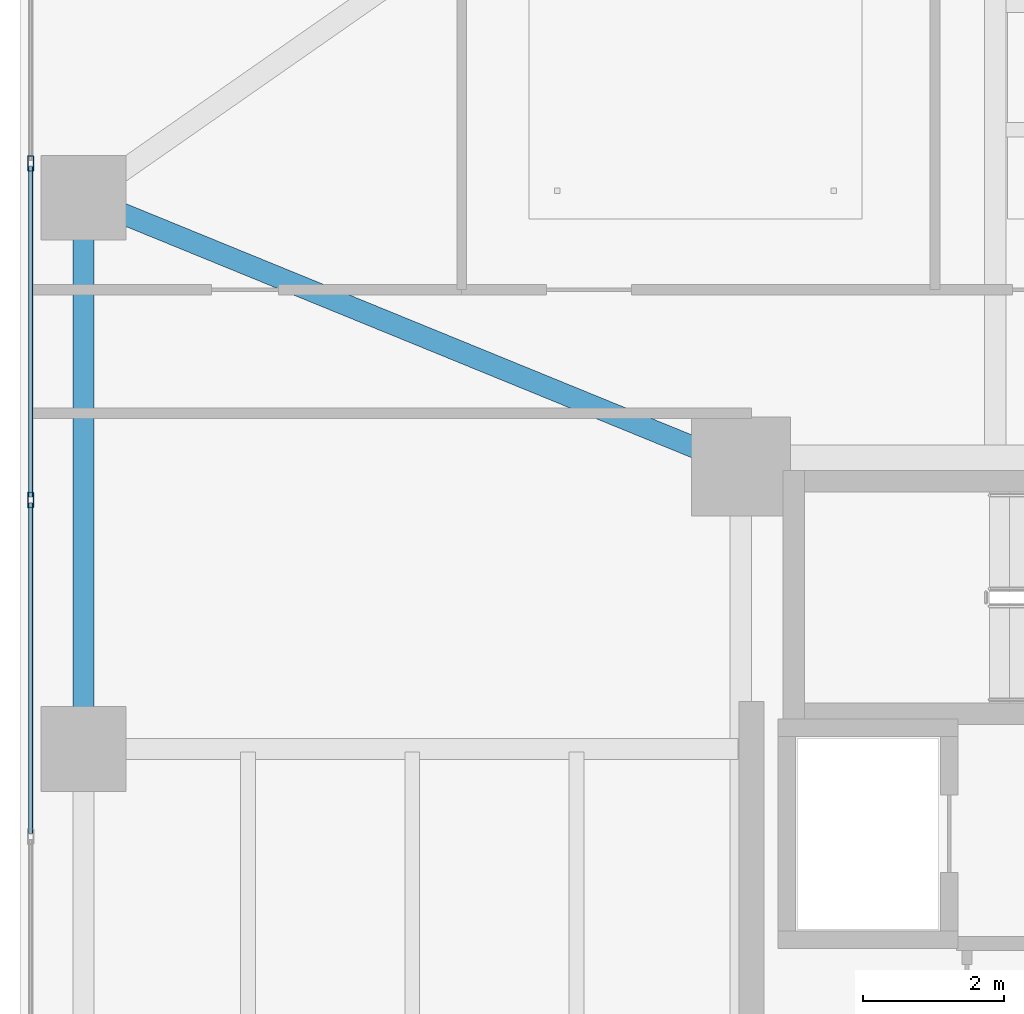
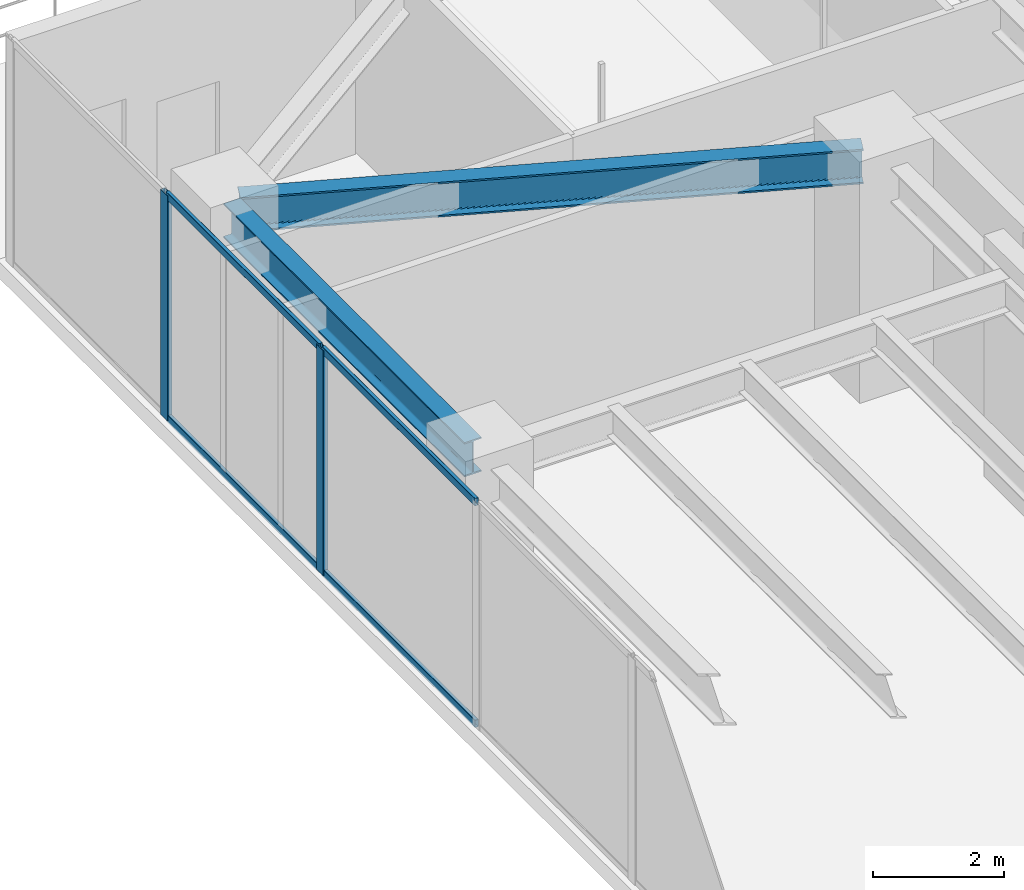
# One storey, part 17 of 40: 6 members, 2 beams, 1 element without a shape of its own.
"""IFC4 building model written with IfcOpenShell, lengths in metres."""

from ifc_helpers import new_model, si_unit, direction, frame, origin, origin_2d, place, context, subcontext, project, spatial, hollow_rectangle, i_section, extrude, material, layer, layer_set, material_profile, profile_set, type_object, element, aggregate, save


model = new_model("IFC4")

# Units and contexts
model_context = context("Model", 3, precision=1e-05, world=origin(), true_north=direction((0.0, 1.0)))
body_context = subcontext(model_context, "Body", "Model", "MODEL_VIEW")
ifc_project = project(units=[si_unit("LENGTHUNIT", "METRE"), si_unit("AREAUNIT", "SQUARE_METRE"), si_unit("VOLUMEUNIT", "CUBIC_METRE"), si_unit("PLANEANGLEUNIT", "RADIAN"), si_unit("MASSUNIT", "GRAM", prefix="KILO")], contexts=[model_context])

# Site, building, storey
site_placement = place(None, origin())
site = spatial("IfcSite", under=ifc_project, at=site_placement, CompositionType="ELEMENT")
building_placement = place(site_placement, origin())
building = spatial("IfcBuilding", under=site, at=building_placement, Name="Tarnavaz Court Tower", CompositionType="ELEMENT")
storey_placement = place(building_placement, frame((0.0, 0.0, 64.199951171875)))
storey = spatial("IfcBuildingStorey", under=building, at=storey_placement, Name="L17", CompositionType="ELEMENT", Elevation=64.199951171875)

# Beams
ifc_material_1 = material(Name="Steel S355", Category="steel")
ifc_material_profile_1 = material_profile(ifc_material_1, i_section(OverallWidth=0.300048828125, OverallDepth=0.64990234375, WebThickness=0.01611328125, FlangeThickness=0.031005859375, FilletRadius=0.027099609375, at=origin_2d()), Name="HEB 650")
ifc_profile_set_1 = profile_set([ifc_material_profile_1], Name="Steel S355")
beam_type_1 = type_object("IfcBeamType", Name="BM-G-HEB650", PredefinedType="USERDEFINED", material=ifc_profile_set_1)
beam_1_placement = place(storey_placement, frame((-18.8037109375, 10.083251953125, 3.875), z_axis=(-0.925704761705, 0.378246869329, 0.0), x_axis=(-0.378246869329, -0.925704761705, 0.0)))
element("IfcBeam", 1, at=beam_1_placement, inside=storey, type_object=beam_type_1, Name="L17 Beam RG-16", ObjectType="GIRDER", PredefinedType="USERDEFINED", context=body_context, shape_type="SweptSolid", body=[
    extrude(i_section(OverallWidth=0.300048828125, OverallDepth=0.64990234375, WebThickness=0.01611328125, FlangeThickness=0.031005859375, FilletRadius=0.027099609375, at=origin_2d()), origin(), (0.0, 0.0, 1.0), 9.606201171875),
])
ifc_material_profile_2 = material_profile(ifc_material_1, i_section(OverallWidth=0.300048828125, OverallDepth=0.639892578125, WebThickness=0.013427734375, FlangeThickness=0.02587890625, FilletRadius=0.027099609375, at=origin_2d()), Name="HEA 650")
ifc_profile_set_2 = profile_set([ifc_material_profile_2], Name="Steel S355")
beam_type_2 = type_object("IfcBeamType", Name="BM-SP-HEA650", PredefinedType="SPANDREL", material=ifc_profile_set_2)
beam_2_placement = place(storey_placement, frame((-27.89990234375, 6.219970703125, 3.880126953125), z_axis=(0.0, 1.0, 0.0), x_axis=(-1.0, 0.0, 0.0)))
element("IfcBeam", 2, at=beam_2_placement, inside=storey, type_object=beam_type_2, Name="L17 Beam PR-PW-3-PW-4", PredefinedType="SPANDREL", context=body_context, shape_type="SweptSolid", body=[
    extrude(i_section(OverallWidth=0.300048828125, OverallDepth=0.639892578125, WebThickness=0.013427734375, FlangeThickness=0.02587890625, FilletRadius=0.027099609375, at=origin_2d()), origin(), (0.0, 0.0, 1.0), 7.360107421875),
])

# Curtain wall, members
ifc_material_2 = material(Name="Anodised Aluminium 6063-T6 and Solar Low-E Glazing", Category="aluminium")
ifc_layer = layer(ifc_material_2, 0.199951171875)
ifc_layer_set = layer_set([ifc_layer], Name="Anodised Aluminium 6063-T6 and Solar Low-E Glazing")
curtain_wall_type = type_object("IfcCurtainWallType", Name="CW-SYS-05", PredefinedType="NOTDEFINED", material=ifc_layer_set)
curtain_wall_placement = place(storey_placement, origin())
curtain_wall = element("IfcCurtainWall", 3, at=curtain_wall_placement, inside=storey, type_object=curtain_wall_type, Name="L17 Sky-Portal Curtain Wall 2", PredefinedType="NOTDEFINED")
ifc_material_3 = material(Name="Anodised Aluminium 6063-T6", Category="aluminium")
ifc_material_profile_3 = material_profile(ifc_material_3, hollow_rectangle(XDim=0.0849609375, YDim=0.219970703125, WallThickness=0.006103515625, InnerFilletRadius=0.006103515625, OuterFilletRadius=0.011962890625, at=origin_2d()), Name="ALU RHS 220X85X6")
ifc_profile_set_3 = profile_set([ifc_material_profile_3], Name="Anodised Aluminium 6063-T6")
member_type_1 = type_object("IfcMemberType", Name="CW-MUL-220", PredefinedType="MULLION", material=ifc_profile_set_3)
member_1_placement = place(storey_placement, frame((-28.64990234375, 9.52490234375, 0.0), z_axis=(0.0, 0.0, 1.0), x_axis=(-1.0, 0.0, 0.0)))
member_1 = element("IfcMember", 4, at=member_1_placement, type_object=member_type_1, Name="CW mullion 7", PredefinedType="MULLION", context=body_context, shape_type="SweptSolid", body=[
    extrude(hollow_rectangle(XDim=0.0849609375, YDim=0.219970703125, WallThickness=0.006103515625, InnerFilletRadius=0.006103515625, OuterFilletRadius=0.011962890625, at=origin_2d()), origin(), (0.0, 0.0, 1.0), 4.199951171875),
])
member_2_placement = place(storey_placement, frame((-28.64990234375, 14.28759765625, 0.0), z_axis=(0.0, 0.0, 1.0), x_axis=(-1.0, 0.0, 0.0)))
member_2 = element("IfcMember", 5, at=member_2_placement, type_object=member_type_1, Name="CW mullion 8", PredefinedType="MULLION", context=body_context, shape_type="SweptSolid", body=[
    extrude(hollow_rectangle(XDim=0.0849609375, YDim=0.219970703125, WallThickness=0.006103515625, InnerFilletRadius=0.006103515625, OuterFilletRadius=0.011962890625, at=origin_2d()), origin(), (0.0, 0.0, 1.0), 4.199951171875),
])
ifc_material_profile_4 = material_profile(ifc_material_3, hollow_rectangle(XDim=0.06494140625, YDim=0.139892578125, WallThickness=0.00390625, InnerFilletRadius=0.00390625, OuterFilletRadius=0.008056640625, at=origin_2d()), Name="ALU RHS 140X65X4")
ifc_profile_set_4 = profile_set([ifc_material_profile_4], Name="Anodised Aluminium 6063-T6")
member_type_2 = type_object("IfcMemberType", Name="CW-TRN-140", PredefinedType="USERDEFINED", material=ifc_profile_set_4)
member_3_placement = place(storey_placement, frame((-28.64990234375, 4.804931640625, 0.032470703125), z_axis=(0.0, 1.0, 0.0), x_axis=(-1.0, 0.0, 0.0)))
member_3 = element("IfcMember", 6, at=member_3_placement, type_object=member_type_2, Name="CW transom 6.1", ObjectType="TRANSOM", PredefinedType="USERDEFINED", context=body_context, shape_type="SweptSolid", body=[
    extrude(hollow_rectangle(XDim=0.06494140625, YDim=0.139892578125, WallThickness=0.00390625, InnerFilletRadius=0.00390625, OuterFilletRadius=0.008056640625, at=origin_2d()), origin(), (0.0, 0.0, 1.0), 4.677490234375),
])
member_4_placement = place(storey_placement, frame((-28.64990234375, 4.804931640625, 4.16748046875), z_axis=(0.0, 1.0, 0.0), x_axis=(-1.0, 0.0, 0.0)))
member_4 = element("IfcMember", 7, at=member_4_placement, type_object=member_type_2, Name="CW transom 6.2", ObjectType="TRANSOM", PredefinedType="USERDEFINED", context=body_context, shape_type="SweptSolid", body=[
    extrude(hollow_rectangle(XDim=0.06494140625, YDim=0.139892578125, WallThickness=0.00390625, InnerFilletRadius=0.00390625, OuterFilletRadius=0.008056640625, at=origin_2d()), origin(), (0.0, 0.0, 1.0), 4.677490234375),
])
member_5_placement = place(storey_placement, frame((-28.64990234375, 9.5673828125, 0.032470703125), z_axis=(0.0, 1.0, 0.0), x_axis=(-1.0, 0.0, 0.0)))
member_5 = element("IfcMember", 8, at=member_5_placement, type_object=member_type_2, Name="CW transom 7.1", ObjectType="TRANSOM", PredefinedType="USERDEFINED", context=body_context, shape_type="SweptSolid", body=[
    extrude(hollow_rectangle(XDim=0.06494140625, YDim=0.139892578125, WallThickness=0.00390625, InnerFilletRadius=0.00390625, OuterFilletRadius=0.008056640625, at=origin_2d()), origin(), (0.0, 0.0, 1.0), 4.677734375),
])
member_6_placement = place(storey_placement, frame((-28.64990234375, 9.5673828125, 4.16748046875), z_axis=(0.0, 1.0, 0.0), x_axis=(-1.0, 0.0, 0.0)))
member_6 = element("IfcMember", 9, at=member_6_placement, type_object=member_type_2, Name="CW transom 7.2", ObjectType="TRANSOM", PredefinedType="USERDEFINED", context=body_context, shape_type="SweptSolid", body=[
    extrude(hollow_rectangle(XDim=0.06494140625, YDim=0.139892578125, WallThickness=0.00390625, InnerFilletRadius=0.00390625, OuterFilletRadius=0.008056640625, at=origin_2d()), origin(), (0.0, 0.0, 1.0), 4.677734375),
])
aggregate(curtain_wall, [member_1, member_2, member_3, member_4, member_5, member_6])

save(model, "model.ifc")
